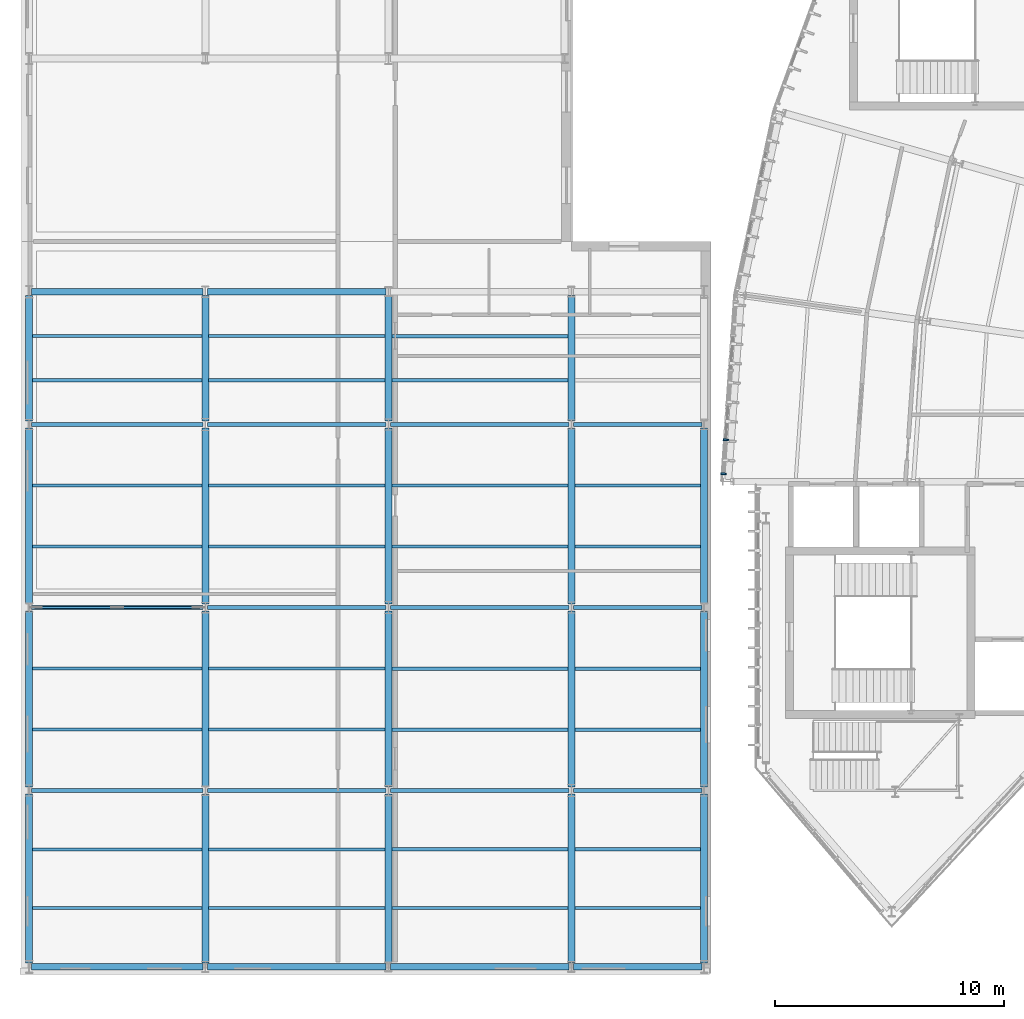
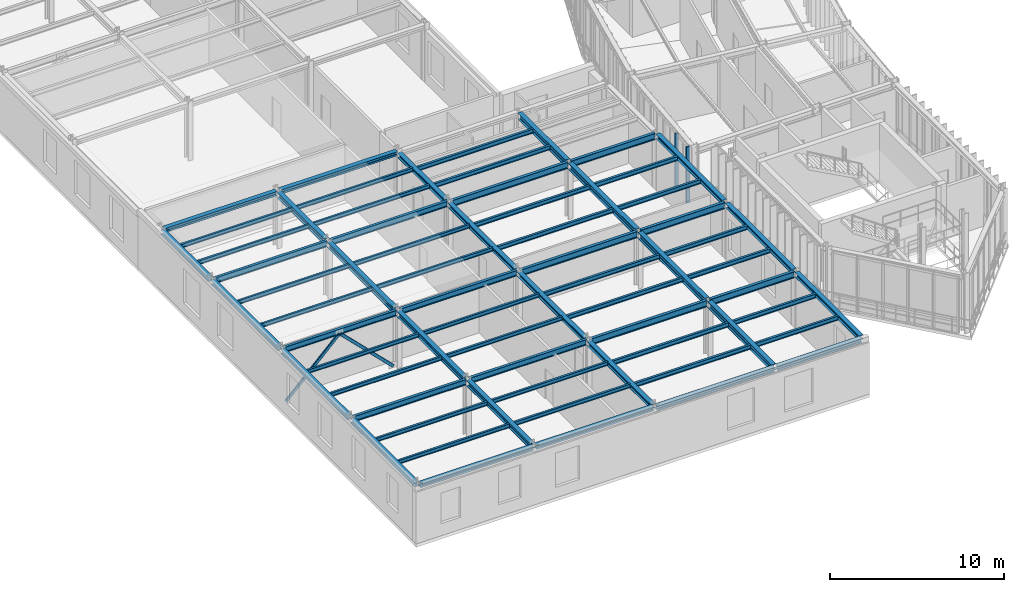
# One storey, part 8 of 57: 67 beams, 4 members, 1 element without a shape of its own.
"""IFC4 building model written with IfcOpenShell, lengths in metres."""

from ifc_helpers import new_model, si_unit, direction, frame, origin, origin_2d, place, context, subcontext, project, spatial, rectangle, hollow_rectangle, i_section, extrude, material, layer, layer_set, material_profile, profile_set, type_object, element, aggregate, save


model = new_model("IFC4")

# Units and contexts
model_context = context("Model", 3, precision=1e-05, world=origin(), true_north=direction((0.0, 1.0)))
body_context = subcontext(model_context, "Body", "Model", "MODEL_VIEW")
ifc_project = project(units=[si_unit("LENGTHUNIT", "METRE"), si_unit("AREAUNIT", "SQUARE_METRE"), si_unit("VOLUMEUNIT", "CUBIC_METRE"), si_unit("PLANEANGLEUNIT", "RADIAN"), si_unit("MASSUNIT", "GRAM", prefix="KILO"), si_unit("THERMODYNAMICTEMPERATUREUNIT", "KELVIN"), si_unit("POWERUNIT", "WATT")], contexts=[model_context])

# Site, building, storey
site_placement = place(None, origin())
site = spatial("IfcSite", under=ifc_project, at=site_placement, CompositionType="ELEMENT")
building_placement = place(site_placement, origin())
building = spatial("IfcBuilding", under=site, at=building_placement, Name="Solvatero Civic Police Headquarters", CompositionType="ELEMENT")
storey_placement = place(building_placement, frame((0.0, 0.0, 9.300048828125)))
storey = spatial("IfcBuildingStorey", under=building, at=storey_placement, Name="L02", CompositionType="ELEMENT", Elevation=9.300048828125)

# Beams
ifc_material_1 = material(Name="Steel S355", Category="steel")
ifc_material_profile_1 = material_profile(ifc_material_1, i_section(OverallWidth=0.300048828125, OverallDepth=0.2900390625, WebThickness=0.008544921875, FlangeThickness=0.013916015625, FilletRadius=0.027099609375, at=origin_2d()), Name="HEA 300")
ifc_profile_set_1 = profile_set([ifc_material_profile_1], Name="Steel S355")
beam_type_1 = type_object("IfcBeamType", Name="BM-ST-HEA300", PredefinedType="SPANDREL", material=ifc_profile_set_1)
beam_1_placement = place(storey_placement, frame((4.89990234375, 4.800048828125, 3.85498046875), z_axis=(1.0, 0.0, 0.0), x_axis=(0.0, 1.0, 0.0)))
element("IfcBeam", 1, at=beam_1_placement, inside=storey, type_object=beam_type_1, Name="Perimeter / radial spandrel beam BM-R2-L02-V4W-GX-1-1", PredefinedType="SPANDREL", context=body_context, shape_type="SweptSolid", body=[
    extrude(i_section(OverallWidth=0.300048828125, OverallDepth=0.2900390625, WebThickness=0.008544921875, FlangeThickness=0.013916015625, FilletRadius=0.027099609375, at=origin_2d()), origin(), (0.0, 0.0, 1.0), 7.5),
])
beam_2_placement = place(storey_placement, frame((12.60009765625, 4.800048828125, 3.85498046875), z_axis=(1.0, 0.0, 0.0), x_axis=(0.0, 1.0, 0.0)))
element("IfcBeam", 2, at=beam_2_placement, inside=storey, type_object=beam_type_1, Name="Perimeter / radial spandrel beam BM-R2-L02-V4W-GX-2-1", PredefinedType="SPANDREL", context=body_context, shape_type="SweptSolid", body=[
    extrude(i_section(OverallWidth=0.300048828125, OverallDepth=0.2900390625, WebThickness=0.008544921875, FlangeThickness=0.013916015625, FilletRadius=0.027099609375, at=origin_2d()), origin(), (0.0, 0.0, 1.0), 7.7998046875),
])
beam_3_placement = place(storey_placement, frame((4.89990234375, 34.300048828125, 3.85498046875), z_axis=(1.0, 0.0, 0.0), x_axis=(0.0, 1.0, 0.0)))
element("IfcBeam", 3, at=beam_3_placement, inside=storey, type_object=beam_type_1, Name="Perimeter / radial spandrel beam BM-R2-L02-V4W-GX-1-5", PredefinedType="SPANDREL", context=body_context, shape_type="SweptSolid", body=[
    extrude(i_section(OverallWidth=0.300048828125, OverallDepth=0.2900390625, WebThickness=0.008544921875, FlangeThickness=0.013916015625, FilletRadius=0.027099609375, at=origin_2d()), origin(), (0.0, 0.0, 1.0), 7.5),
])
beam_4_placement = place(storey_placement, frame((12.60009765625, 34.300048828125, 3.85498046875), z_axis=(1.0, 0.0, 0.0), x_axis=(0.0, 1.0, 0.0)))
element("IfcBeam", 4, at=beam_4_placement, inside=storey, type_object=beam_type_1, Name="Perimeter / radial spandrel beam BM-R2-L02-V4W-GX-2-5", PredefinedType="SPANDREL", context=body_context, shape_type="SweptSolid", body=[
    extrude(i_section(OverallWidth=0.300048828125, OverallDepth=0.2900390625, WebThickness=0.008544921875, FlangeThickness=0.013916015625, FilletRadius=0.027099609375, at=origin_2d()), origin(), (0.0, 0.0, 1.0), 7.7998046875),
])
beam_5_placement = place(storey_placement, frame((4.800048828125, 4.9599609375, 3.85498046875), z_axis=(0.0, 1.0, 0.0), x_axis=(-1.0, 0.0, 0.0)))
element("IfcBeam", 5, at=beam_5_placement, inside=storey, type_object=beam_type_1, Name="Perimeter / radial spandrel beam BM-R2-L02-V4W-GY-1-1", PredefinedType="SPANDREL", context=body_context, shape_type="SweptSolid", body=[
    extrude(i_section(OverallWidth=0.300048828125, OverallDepth=0.2900390625, WebThickness=0.008544921875, FlangeThickness=0.013916015625, FilletRadius=0.027099609375, at=origin_2d()), origin(), (0.0, 0.0, 1.0), 7.380126953125),
])
for number, where, z_axis, x_axis, name in (
    (6, (4.800048828125, 12.659912109375, 3.85498046875), (0.0, 1.0, 0.0), (-1.0, 0.0, 0.0), "Perimeter / radial spandrel beam BM-R2-L02-V4W-GY-1-2"),
    (7, (4.800048828125, 20.659912109375, 3.85498046875), (0.0, 1.0, 0.0), (-1.0, 0.0, 0.0), "Perimeter / radial spandrel beam BM-R2-L02-V4W-GY-1-3"),
):
    element("IfcBeam", number, at=place(storey_placement, frame(where, z_axis=z_axis, x_axis=x_axis)), inside=storey, type_object=beam_type_1, Name=name, PredefinedType="SPANDREL", context=body_context, shape_type="SweptSolid", body=[
        extrude(i_section(OverallWidth=0.300048828125, OverallDepth=0.2900390625, WebThickness=0.008544921875, FlangeThickness=0.013916015625, FilletRadius=0.027099609375, at=origin_2d()), origin(), (0.0, 0.0, 1.0), 7.68017578125),
    ])
beam_6_placement = place(storey_placement, frame((4.800048828125, 28.659912109375, 3.85498046875), z_axis=(0.0, 1.0, 0.0), x_axis=(-1.0, 0.0, 0.0)))
element("IfcBeam", 8, at=beam_6_placement, inside=storey, type_object=beam_type_1, Name="Perimeter / radial spandrel beam BM-R2-L02-V4W-GY-1-4", PredefinedType="SPANDREL", context=body_context, shape_type="SweptSolid", body=[
    extrude(i_section(OverallWidth=0.300048828125, OverallDepth=0.2900390625, WebThickness=0.008544921875, FlangeThickness=0.013916015625, FilletRadius=0.027099609375, at=origin_2d()), origin(), (0.0, 0.0, 1.0), 5.47998046875),
])
ifc_material_profile_2 = material_profile(ifc_material_1, i_section(OverallWidth=0.300048828125, OverallDepth=0.31005859375, WebThickness=0.009033203125, FlangeThickness=0.015380859375, FilletRadius=0.027099609375, at=origin_2d()), Name="HEA 320")
ifc_profile_set_2 = profile_set([ifc_material_profile_2], Name="Steel S355")
beam_type_2 = type_object("IfcBeamType", Name="BM-ST-HEA320", PredefinedType="SPANDREL", material=ifc_profile_set_2)
beam_7_placement = place(storey_placement, frame((20.60009765625, 4.800048828125, 3.784912109375), z_axis=(1.0, 0.0, 0.0), x_axis=(0.0, 1.0, 0.0)))
element("IfcBeam", 9, at=beam_7_placement, inside=storey, type_object=beam_type_2, Name="Perimeter / radial spandrel beam BM-R2-L02-V4E-GX-1-1", PredefinedType="SPANDREL", context=body_context, shape_type="SweptSolid", body=[
    extrude(i_section(OverallWidth=0.300048828125, OverallDepth=0.31005859375, WebThickness=0.009033203125, FlangeThickness=0.015380859375, FilletRadius=0.027099609375, at=origin_2d()), origin(), (0.0, 0.0, 1.0), 7.7998046875),
])
beam_8_placement = place(storey_placement, frame((28.60009765625, 4.800048828125, 3.784912109375), z_axis=(1.0, 0.0, 0.0), x_axis=(0.0, 1.0, 0.0)))
element("IfcBeam", 10, at=beam_8_placement, inside=storey, type_object=beam_type_2, Name="Perimeter / radial spandrel beam BM-R2-L02-V4E-GX-2-1", PredefinedType="SPANDREL", context=body_context, shape_type="SweptSolid", body=[
    extrude(i_section(OverallWidth=0.300048828125, OverallDepth=0.31005859375, WebThickness=0.009033203125, FlangeThickness=0.015380859375, FilletRadius=0.027099609375, at=origin_2d()), origin(), (0.0, 0.0, 1.0), 5.599853515625),
])
beam_9_placement = place(storey_placement, frame((20.5, 4.9599609375, 3.784912109375), z_axis=(0.0, 1.0, 0.0), x_axis=(-1.0, 0.0, 0.0)))
element("IfcBeam", 11, at=beam_9_placement, inside=storey, type_object=beam_type_2, Name="Perimeter / radial spandrel beam BM-R2-L02-V4E-GY-1-1", PredefinedType="SPANDREL", context=body_context, shape_type="SweptSolid", body=[
    extrude(i_section(OverallWidth=0.300048828125, OverallDepth=0.31005859375, WebThickness=0.009033203125, FlangeThickness=0.015380859375, FilletRadius=0.027099609375, at=origin_2d()), origin(), (0.0, 0.0, 1.0), 7.380126953125),
])
for number, where, z_axis, x_axis, name in (
    (12, (20.5, 12.659912109375, 3.784912109375), (0.0, 1.0, 0.0), (-1.0, 0.0, 0.0), "Perimeter / radial spandrel beam BM-R2-L02-V4E-GY-1-2"),
    (13, (20.5, 20.659912109375, 3.784912109375), (0.0, 1.0, 0.0), (-1.0, 0.0, 0.0), "Perimeter / radial spandrel beam BM-R2-L02-V4E-GY-1-3"),
):
    element("IfcBeam", number, at=place(storey_placement, frame(where, z_axis=z_axis, x_axis=x_axis)), inside=storey, type_object=beam_type_2, Name=name, PredefinedType="SPANDREL", context=body_context, shape_type="SweptSolid", body=[
        extrude(i_section(OverallWidth=0.300048828125, OverallDepth=0.31005859375, WebThickness=0.009033203125, FlangeThickness=0.015380859375, FilletRadius=0.027099609375, at=origin_2d()), origin(), (0.0, 0.0, 1.0), 7.68017578125),
    ])
beam_10_placement = place(storey_placement, frame((20.5, 28.659912109375, 3.784912109375), z_axis=(0.0, 1.0, 0.0), x_axis=(-1.0, 0.0, 0.0)))
element("IfcBeam", 14, at=beam_10_placement, inside=storey, type_object=beam_type_2, Name="Perimeter / radial spandrel beam BM-R2-L02-V4E-GY-1-4", PredefinedType="SPANDREL", context=body_context, shape_type="SweptSolid", body=[
    extrude(i_section(OverallWidth=0.300048828125, OverallDepth=0.31005859375, WebThickness=0.009033203125, FlangeThickness=0.015380859375, FilletRadius=0.027099609375, at=origin_2d()), origin(), (0.0, 0.0, 1.0), 5.47998046875),
])
beam_11_placement = place(storey_placement, frame((34.300048828125, 4.9599609375, 3.784912109375), z_axis=(0.0, 1.0, 0.0), x_axis=(-1.0, 0.0, 0.0)))
element("IfcBeam", 15, at=beam_11_placement, inside=storey, type_object=beam_type_2, Name="Perimeter / radial spandrel beam BM-R2-L02-V4E-GY-3-1", PredefinedType="SPANDREL", context=body_context, shape_type="SweptSolid", body=[
    extrude(i_section(OverallWidth=0.300048828125, OverallDepth=0.31005859375, WebThickness=0.009033203125, FlangeThickness=0.015380859375, FilletRadius=0.027099609375, at=origin_2d()), origin(), (0.0, 0.0, 1.0), 7.380126953125),
])
for number, where, z_axis, x_axis, name in (
    (16, (34.300048828125, 12.659912109375, 3.784912109375), (0.0, 1.0, 0.0), (-1.0, 0.0, 0.0), "Perimeter / radial spandrel beam BM-R2-L02-V4E-GY-3-2"),
    (17, (34.300048828125, 20.659912109375, 3.784912109375), (0.0, 1.0, 0.0), (-1.0, 0.0, 0.0), "Perimeter / radial spandrel beam BM-R2-L02-V4E-GY-3-3"),
):
    element("IfcBeam", number, at=place(storey_placement, frame(where, z_axis=z_axis, x_axis=x_axis)), inside=storey, type_object=beam_type_2, Name=name, PredefinedType="SPANDREL", context=body_context, shape_type="SweptSolid", body=[
        extrude(i_section(OverallWidth=0.300048828125, OverallDepth=0.31005859375, WebThickness=0.009033203125, FlangeThickness=0.015380859375, FilletRadius=0.027099609375, at=origin_2d()), origin(), (0.0, 0.0, 1.0), 7.68017578125),
    ])
ifc_material_profile_3 = material_profile(ifc_material_1, i_section(OverallWidth=0.300048828125, OverallDepth=0.389892578125, WebThickness=0.010986328125, FlangeThickness=0.01904296875, FilletRadius=0.027099609375, at=origin_2d()), Name="HEA 400")
ifc_profile_set_3 = profile_set([ifc_material_profile_3], Name="Steel S355")
beam_type_3 = type_object("IfcBeamType", Name="BM-ST-HEA400", PredefinedType="BEAM", material=ifc_profile_set_3)
beam_12_placement = place(storey_placement, frame((12.5, 4.9599609375, 3.804931640625), z_axis=(0.0, 1.0, 0.0), x_axis=(-1.0, 0.0, 0.0)))
element("IfcBeam", 18, at=beam_12_placement, inside=storey, type_object=beam_type_3, Name="Primary girder BM-R2-L02-V4W-GY-2-1", PredefinedType="BEAM", context=body_context, shape_type="SweptSolid", body=[
    extrude(i_section(OverallWidth=0.300048828125, OverallDepth=0.389892578125, WebThickness=0.010986328125, FlangeThickness=0.01904296875, FilletRadius=0.027099609375, at=origin_2d()), origin(), (0.0, 0.0, 1.0), 7.380126953125),
])
for number, where, z_axis, x_axis, name in (
    (19, (12.5, 12.659912109375, 3.804931640625), (0.0, 1.0, 0.0), (-1.0, 0.0, 0.0), "Primary girder BM-R2-L02-V4W-GY-2-2"),
    (20, (12.5, 20.659912109375, 3.804931640625), (0.0, 1.0, 0.0), (-1.0, 0.0, 0.0), "Primary girder BM-R2-L02-V4W-GY-2-3"),
):
    element("IfcBeam", number, at=place(storey_placement, frame(where, z_axis=z_axis, x_axis=x_axis)), inside=storey, type_object=beam_type_3, Name=name, PredefinedType="BEAM", context=body_context, shape_type="SweptSolid", body=[
        extrude(i_section(OverallWidth=0.300048828125, OverallDepth=0.389892578125, WebThickness=0.010986328125, FlangeThickness=0.01904296875, FilletRadius=0.027099609375, at=origin_2d()), origin(), (0.0, 0.0, 1.0), 7.68017578125),
    ])
beam_13_placement = place(storey_placement, frame((12.5, 28.659912109375, 3.804931640625), z_axis=(0.0, 1.0, 0.0), x_axis=(-1.0, 0.0, 0.0)))
element("IfcBeam", 21, at=beam_13_placement, inside=storey, type_object=beam_type_3, Name="Primary girder BM-R2-L02-V4W-GY-2-4", PredefinedType="BEAM", context=body_context, shape_type="SweptSolid", body=[
    extrude(i_section(OverallWidth=0.300048828125, OverallDepth=0.389892578125, WebThickness=0.010986328125, FlangeThickness=0.01904296875, FilletRadius=0.027099609375, at=origin_2d()), origin(), (0.0, 0.0, 1.0), 5.47998046875),
])
ifc_material_profile_4 = material_profile(ifc_material_1, i_section(OverallWidth=0.300048828125, OverallDepth=0.43994140625, WebThickness=0.011474609375, FlangeThickness=0.02099609375, FilletRadius=0.027099609375, at=origin_2d()), Name="HEA 450")
ifc_profile_set_4 = profile_set([ifc_material_profile_4], Name="Steel S355")
beam_type_4 = type_object("IfcBeamType", Name="BM-ST-HEA450", PredefinedType="BEAM", material=ifc_profile_set_4)
beam_14_placement = place(storey_placement, frame((28.5, 4.9599609375, 3.719970703125), z_axis=(0.0, 1.0, 0.0), x_axis=(-1.0, 0.0, 0.0)))
element("IfcBeam", 22, at=beam_14_placement, inside=storey, type_object=beam_type_4, Name="Primary girder BM-R2-L02-V4E-GY-2-1", PredefinedType="BEAM", context=body_context, shape_type="SweptSolid", body=[
    extrude(i_section(OverallWidth=0.300048828125, OverallDepth=0.43994140625, WebThickness=0.011474609375, FlangeThickness=0.02099609375, FilletRadius=0.027099609375, at=origin_2d()), origin(), (0.0, 0.0, 1.0), 7.380126953125),
])
for number, where, z_axis, x_axis, name in (
    (23, (28.5, 12.659912109375, 3.719970703125), (0.0, 1.0, 0.0), (-1.0, 0.0, 0.0), "Primary girder BM-R2-L02-V4E-GY-2-2"),
    (24, (28.5, 20.659912109375, 3.719970703125), (0.0, 1.0, 0.0), (-1.0, 0.0, 0.0), "Primary girder BM-R2-L02-V4E-GY-2-3"),
):
    element("IfcBeam", number, at=place(storey_placement, frame(where, z_axis=z_axis, x_axis=x_axis)), inside=storey, type_object=beam_type_4, Name=name, PredefinedType="BEAM", context=body_context, shape_type="SweptSolid", body=[
        extrude(i_section(OverallWidth=0.300048828125, OverallDepth=0.43994140625, WebThickness=0.011474609375, FlangeThickness=0.02099609375, FilletRadius=0.027099609375, at=origin_2d()), origin(), (0.0, 0.0, 1.0), 7.68017578125),
    ])
beam_15_placement = place(storey_placement, frame((28.5, 28.659912109375, 3.719970703125), z_axis=(0.0, 1.0, 0.0), x_axis=(-1.0, 0.0, 0.0)))
element("IfcBeam", 25, at=beam_15_placement, inside=storey, type_object=beam_type_4, Name="Primary girder BM-R2-L02-V4E-GY-2-4", PredefinedType="BEAM", context=body_context, shape_type="SweptSolid", body=[
    extrude(i_section(OverallWidth=0.300048828125, OverallDepth=0.43994140625, WebThickness=0.011474609375, FlangeThickness=0.02099609375, FilletRadius=0.027099609375, at=origin_2d()), origin(), (0.0, 0.0, 1.0), 5.47998046875),
])
ifc_material_profile_5 = material_profile(ifc_material_1, i_section(OverallWidth=0.135009765625, OverallDepth=0.27001953125, WebThickness=0.006591796875, FlangeThickness=0.01025390625, FilletRadius=0.014892578125, at=origin_2d()), Name="IPE 270")
ifc_profile_set_5 = profile_set([ifc_material_profile_5], Name="Steel S355")
beam_type_5 = type_object("IfcBeamType", Name="BM-ST-IPE270", PredefinedType="BEAM", material=ifc_profile_set_5)
for number, where, z_axis, x_axis, name in (
    (26, (4.949951171875, 7.36669921875, 3.864990234375), (1.0, 0.0, 0.0), (0.0, 1.0, 0.0), "Composite floor beam BM-R2-L02-V4W-SEC-1-1-S1"),
    (27, (4.949951171875, 9.933349609375, 3.864990234375), (1.0, 0.0, 0.0), (0.0, 1.0, 0.0), "Composite floor beam BM-R2-L02-V4W-SEC-1-1-S2"),
    (28, (4.949951171875, 15.166748046875, 3.864990234375), (1.0, 0.0, 0.0), (0.0, 1.0, 0.0), "Composite floor beam BM-R2-L02-V4W-SEC-1-2-S1"),
    (29, (4.949951171875, 17.833251953125, 3.864990234375), (1.0, 0.0, 0.0), (0.0, 1.0, 0.0), "Composite floor beam BM-R2-L02-V4W-SEC-1-2-S2"),
    (30, (4.949951171875, 23.166748046875, 3.864990234375), (1.0, 0.0, 0.0), (0.0, 1.0, 0.0), "Composite floor beam BM-R2-L02-V4W-SEC-1-3-S1"),
    (31, (4.949951171875, 25.833251953125, 3.864990234375), (1.0, 0.0, 0.0), (0.0, 1.0, 0.0), "Composite floor beam BM-R2-L02-V4W-SEC-1-3-S2"),
    (32, (4.949951171875, 30.433349609375, 3.864990234375), (1.0, 0.0, 0.0), (0.0, 1.0, 0.0), "Composite floor beam BM-R2-L02-V4W-SEC-1-4-S1"),
    (33, (4.949951171875, 32.36669921875, 3.864990234375), (1.0, 0.0, 0.0), (0.0, 1.0, 0.0), "Composite floor beam BM-R2-L02-V4W-SEC-1-4-S2"),
):
    element("IfcBeam", number, at=place(storey_placement, frame(where, z_axis=z_axis, x_axis=x_axis)), inside=storey, type_object=beam_type_5, Name=name, PredefinedType="BEAM", context=body_context, shape_type="SweptSolid", body=[
        extrude(i_section(OverallWidth=0.135009765625, OverallDepth=0.27001953125, WebThickness=0.006591796875, FlangeThickness=0.01025390625, FilletRadius=0.014892578125, at=origin_2d()), origin(), (0.0, 0.0, 1.0), 7.400146484375),
    ])
for number, where, z_axis, x_axis, name in (
    (34, (12.64990234375, 7.36669921875, 3.864990234375), (1.0, 0.0, 0.0), (0.0, 1.0, 0.0), "Composite floor beam BM-R2-L02-V4W-SEC-2-1-S1"),
    (35, (12.64990234375, 9.933349609375, 3.864990234375), (1.0, 0.0, 0.0), (0.0, 1.0, 0.0), "Composite floor beam BM-R2-L02-V4W-SEC-2-1-S2"),
    (36, (12.64990234375, 15.166748046875, 3.864990234375), (1.0, 0.0, 0.0), (0.0, 1.0, 0.0), "Composite floor beam BM-R2-L02-V4W-SEC-2-2-S1"),
    (37, (12.64990234375, 17.833251953125, 3.864990234375), (1.0, 0.0, 0.0), (0.0, 1.0, 0.0), "Composite floor beam BM-R2-L02-V4W-SEC-2-2-S2"),
    (38, (12.64990234375, 23.166748046875, 3.864990234375), (1.0, 0.0, 0.0), (0.0, 1.0, 0.0), "Composite floor beam BM-R2-L02-V4W-SEC-2-3-S1"),
    (39, (12.64990234375, 25.833251953125, 3.864990234375), (1.0, 0.0, 0.0), (0.0, 1.0, 0.0), "Composite floor beam BM-R2-L02-V4W-SEC-2-3-S2"),
    (40, (12.64990234375, 30.433349609375, 3.864990234375), (1.0, 0.0, 0.0), (0.0, 1.0, 0.0), "Composite floor beam BM-R2-L02-V4W-SEC-2-4-S1"),
    (41, (12.64990234375, 32.36669921875, 3.864990234375), (1.0, 0.0, 0.0), (0.0, 1.0, 0.0), "Composite floor beam BM-R2-L02-V4W-SEC-2-4-S2"),
):
    element("IfcBeam", number, at=place(storey_placement, frame(where, z_axis=z_axis, x_axis=x_axis)), inside=storey, type_object=beam_type_5, Name=name, PredefinedType="BEAM", context=body_context, shape_type="SweptSolid", body=[
        extrude(i_section(OverallWidth=0.135009765625, OverallDepth=0.27001953125, WebThickness=0.006591796875, FlangeThickness=0.01025390625, FilletRadius=0.014892578125, at=origin_2d()), origin(), (0.0, 0.0, 1.0), 7.7001953125),
    ])
ifc_material_profile_6 = material_profile(ifc_material_1, i_section(OverallWidth=0.14990234375, OverallDepth=0.300048828125, WebThickness=0.007080078125, FlangeThickness=0.0107421875, FilletRadius=0.014892578125, at=origin_2d()), Name="IPE 300")
ifc_profile_set_6 = profile_set([ifc_material_profile_6], Name="Steel S355")
beam_type_6 = type_object("IfcBeamType", Name="BM-ST-IPE300", PredefinedType="BEAM", material=ifc_profile_set_6)
for number, where, z_axis, x_axis, name in (
    (42, (20.64990234375, 7.36669921875, 3.7900390625), (1.0, 0.0, 0.0), (0.0, 1.0, 0.0), "Composite floor beam BM-R2-L02-V4E-SEC-1-1-S1"),
    (43, (20.64990234375, 9.933349609375, 3.7900390625), (1.0, 0.0, 0.0), (0.0, 1.0, 0.0), "Composite floor beam BM-R2-L02-V4E-SEC-1-1-S2"),
    (44, (20.64990234375, 15.166748046875, 3.7900390625), (1.0, 0.0, 0.0), (0.0, 1.0, 0.0), "Composite floor beam BM-R2-L02-V4E-SEC-1-2-S1"),
    (45, (20.64990234375, 17.833251953125, 3.7900390625), (1.0, 0.0, 0.0), (0.0, 1.0, 0.0), "Composite floor beam BM-R2-L02-V4E-SEC-1-2-S2"),
    (46, (20.64990234375, 23.166748046875, 3.7900390625), (1.0, 0.0, 0.0), (0.0, 1.0, 0.0), "Composite floor beam BM-R2-L02-V4E-SEC-1-3-S1"),
    (47, (20.64990234375, 25.833251953125, 3.7900390625), (1.0, 0.0, 0.0), (0.0, 1.0, 0.0), "Composite floor beam BM-R2-L02-V4E-SEC-1-3-S2"),
    (48, (20.64990234375, 30.433349609375, 3.7900390625), (1.0, 0.0, 0.0), (0.0, 1.0, 0.0), "Composite floor beam BM-R2-L02-V4E-SEC-1-4-S1"),
    (49, (20.64990234375, 32.36669921875, 3.7900390625), (1.0, 0.0, 0.0), (0.0, 1.0, 0.0), "Composite floor beam BM-R2-L02-V4E-SEC-1-4-S2"),
):
    element("IfcBeam", number, at=place(storey_placement, frame(where, z_axis=z_axis, x_axis=x_axis)), inside=storey, type_object=beam_type_6, Name=name, PredefinedType="BEAM", context=body_context, shape_type="SweptSolid", body=[
        extrude(i_section(OverallWidth=0.14990234375, OverallDepth=0.300048828125, WebThickness=0.007080078125, FlangeThickness=0.0107421875, FilletRadius=0.014892578125, at=origin_2d()), origin(), (0.0, 0.0, 1.0), 7.7001953125),
    ])
for number, where, z_axis, x_axis, name in (
    (50, (28.64990234375, 7.36669921875, 3.7900390625), (1.0, 0.0, 0.0), (0.0, 1.0, 0.0), "Composite floor beam BM-R2-L02-V4E-SEC-2-1-S1"),
    (51, (28.64990234375, 9.933349609375, 3.7900390625), (1.0, 0.0, 0.0), (0.0, 1.0, 0.0), "Composite floor beam BM-R2-L02-V4E-SEC-2-1-S2"),
    (52, (28.64990234375, 15.166748046875, 3.7900390625), (1.0, 0.0, 0.0), (0.0, 1.0, 0.0), "Composite floor beam BM-R2-L02-V4E-SEC-2-2-S1"),
    (53, (28.64990234375, 17.833251953125, 3.7900390625), (1.0, 0.0, 0.0), (0.0, 1.0, 0.0), "Composite floor beam BM-R2-L02-V4E-SEC-2-2-S2"),
    (54, (28.64990234375, 23.166748046875, 3.7900390625), (1.0, 0.0, 0.0), (0.0, 1.0, 0.0), "Composite floor beam BM-R2-L02-V4E-SEC-2-3-S1"),
    (55, (28.64990234375, 25.833251953125, 3.7900390625), (1.0, 0.0, 0.0), (0.0, 1.0, 0.0), "Composite floor beam BM-R2-L02-V4E-SEC-2-3-S2"),
):
    element("IfcBeam", number, at=place(storey_placement, frame(where, z_axis=z_axis, x_axis=x_axis)), inside=storey, type_object=beam_type_6, Name=name, PredefinedType="BEAM", context=body_context, shape_type="SweptSolid", body=[
        extrude(i_section(OverallWidth=0.14990234375, OverallDepth=0.300048828125, WebThickness=0.007080078125, FlangeThickness=0.0107421875, FilletRadius=0.014892578125, at=origin_2d()), origin(), (0.0, 0.0, 1.0), 5.5),
    ])
ifc_material_profile_7 = material_profile(ifc_material_1, i_section(OverallWidth=0.179931640625, OverallDepth=0.39990234375, WebThickness=0.008544921875, FlangeThickness=0.013427734375, FilletRadius=0.02099609375, at=origin_2d()), Name="IPE 400")
ifc_profile_set_7 = profile_set([ifc_material_profile_7], Name="Steel S355")
beam_type_7 = type_object("IfcBeamType", Name="BM-ST-IPE400", PredefinedType="BEAM", material=ifc_profile_set_7)
beam_16_placement = place(storey_placement, frame((4.89990234375, 12.5, 3.800048828125), z_axis=(1.0, 0.0, 0.0), x_axis=(0.0, 1.0, 0.0)))
element("IfcBeam", 56, at=beam_16_placement, inside=storey, type_object=beam_type_7, Name="Primary girder BM-R2-L02-V4W-GX-1-2", PredefinedType="BEAM", context=body_context, shape_type="SweptSolid", body=[
    extrude(i_section(OverallWidth=0.179931640625, OverallDepth=0.39990234375, WebThickness=0.008544921875, FlangeThickness=0.013427734375, FilletRadius=0.02099609375, at=origin_2d()), origin(), (0.0, 0.0, 1.0), 7.5),
])
beam_17_placement = place(storey_placement, frame((12.60009765625, 12.5, 3.800048828125), z_axis=(1.0, 0.0, 0.0), x_axis=(0.0, 1.0, 0.0)))
element("IfcBeam", 57, at=beam_17_placement, inside=storey, type_object=beam_type_7, Name="Primary girder BM-R2-L02-V4W-GX-2-2", PredefinedType="BEAM", context=body_context, shape_type="SweptSolid", body=[
    extrude(i_section(OverallWidth=0.179931640625, OverallDepth=0.39990234375, WebThickness=0.008544921875, FlangeThickness=0.013427734375, FilletRadius=0.02099609375, at=origin_2d()), origin(), (0.0, 0.0, 1.0), 7.7998046875),
])
beam_18_placement = place(storey_placement, frame((4.89990234375, 20.5, 3.800048828125), z_axis=(1.0, 0.0, 0.0), x_axis=(0.0, 1.0, 0.0)))
element("IfcBeam", 58, at=beam_18_placement, inside=storey, type_object=beam_type_7, Name="Primary girder BM-R2-L02-V4W-GX-1-3", PredefinedType="BEAM", context=body_context, shape_type="SweptSolid", body=[
    extrude(i_section(OverallWidth=0.179931640625, OverallDepth=0.39990234375, WebThickness=0.008544921875, FlangeThickness=0.013427734375, FilletRadius=0.02099609375, at=origin_2d()), origin(), (0.0, 0.0, 1.0), 7.5),
])
beam_19_placement = place(storey_placement, frame((12.60009765625, 20.5, 3.800048828125), z_axis=(1.0, 0.0, 0.0), x_axis=(0.0, 1.0, 0.0)))
element("IfcBeam", 59, at=beam_19_placement, inside=storey, type_object=beam_type_7, Name="Primary girder BM-R2-L02-V4W-GX-2-3", PredefinedType="BEAM", context=body_context, shape_type="SweptSolid", body=[
    extrude(i_section(OverallWidth=0.179931640625, OverallDepth=0.39990234375, WebThickness=0.008544921875, FlangeThickness=0.013427734375, FilletRadius=0.02099609375, at=origin_2d()), origin(), (0.0, 0.0, 1.0), 7.7998046875),
])
beam_20_placement = place(storey_placement, frame((4.89990234375, 28.5, 3.800048828125), z_axis=(1.0, 0.0, 0.0), x_axis=(0.0, 1.0, 0.0)))
element("IfcBeam", 60, at=beam_20_placement, inside=storey, type_object=beam_type_7, Name="Primary girder BM-R2-L02-V4W-GX-1-4", PredefinedType="BEAM", context=body_context, shape_type="SweptSolid", body=[
    extrude(i_section(OverallWidth=0.179931640625, OverallDepth=0.39990234375, WebThickness=0.008544921875, FlangeThickness=0.013427734375, FilletRadius=0.02099609375, at=origin_2d()), origin(), (0.0, 0.0, 1.0), 7.5),
])
beam_21_placement = place(storey_placement, frame((12.60009765625, 28.5, 3.800048828125), z_axis=(1.0, 0.0, 0.0), x_axis=(0.0, 1.0, 0.0)))
element("IfcBeam", 61, at=beam_21_placement, inside=storey, type_object=beam_type_7, Name="Primary girder BM-R2-L02-V4W-GX-2-4", PredefinedType="BEAM", context=body_context, shape_type="SweptSolid", body=[
    extrude(i_section(OverallWidth=0.179931640625, OverallDepth=0.39990234375, WebThickness=0.008544921875, FlangeThickness=0.013427734375, FilletRadius=0.02099609375, at=origin_2d()), origin(), (0.0, 0.0, 1.0), 7.7998046875),
])
ifc_material_profile_8 = material_profile(ifc_material_1, i_section(OverallWidth=0.18994140625, OverallDepth=0.449951171875, WebThickness=0.009521484375, FlangeThickness=0.0146484375, FilletRadius=0.02099609375, at=origin_2d()), Name="IPE 450")
ifc_profile_set_8 = profile_set([ifc_material_profile_8], Name="Steel S355")
beam_type_8 = type_object("IfcBeamType", Name="BM-ST-IPE450", PredefinedType="BEAM", material=ifc_profile_set_8)
beam_22_placement = place(storey_placement, frame((20.60009765625, 12.5, 3.71484375), z_axis=(1.0, 0.0, 0.0), x_axis=(0.0, 1.0, 0.0)))
element("IfcBeam", 62, at=beam_22_placement, inside=storey, type_object=beam_type_8, Name="Primary girder BM-R2-L02-V4E-GX-1-2", PredefinedType="BEAM", context=body_context, shape_type="SweptSolid", body=[
    extrude(i_section(OverallWidth=0.18994140625, OverallDepth=0.449951171875, WebThickness=0.009521484375, FlangeThickness=0.0146484375, FilletRadius=0.02099609375, at=origin_2d()), origin(), (0.0, 0.0, 1.0), 7.7998046875),
])
beam_23_placement = place(storey_placement, frame((28.60009765625, 12.5, 3.71484375), z_axis=(1.0, 0.0, 0.0), x_axis=(0.0, 1.0, 0.0)))
element("IfcBeam", 63, at=beam_23_placement, inside=storey, type_object=beam_type_8, Name="Primary girder BM-R2-L02-V4E-GX-2-2", PredefinedType="BEAM", context=body_context, shape_type="SweptSolid", body=[
    extrude(i_section(OverallWidth=0.18994140625, OverallDepth=0.449951171875, WebThickness=0.009521484375, FlangeThickness=0.0146484375, FilletRadius=0.02099609375, at=origin_2d()), origin(), (0.0, 0.0, 1.0), 5.599853515625),
])
beam_24_placement = place(storey_placement, frame((20.60009765625, 20.5, 3.71484375), z_axis=(1.0, 0.0, 0.0), x_axis=(0.0, 1.0, 0.0)))
element("IfcBeam", 64, at=beam_24_placement, inside=storey, type_object=beam_type_8, Name="Primary girder BM-R2-L02-V4E-GX-1-3", PredefinedType="BEAM", context=body_context, shape_type="SweptSolid", body=[
    extrude(i_section(OverallWidth=0.18994140625, OverallDepth=0.449951171875, WebThickness=0.009521484375, FlangeThickness=0.0146484375, FilletRadius=0.02099609375, at=origin_2d()), origin(), (0.0, 0.0, 1.0), 7.7998046875),
])
beam_25_placement = place(storey_placement, frame((28.60009765625, 20.5, 3.71484375), z_axis=(1.0, 0.0, 0.0), x_axis=(0.0, 1.0, 0.0)))
element("IfcBeam", 65, at=beam_25_placement, inside=storey, type_object=beam_type_8, Name="Primary girder BM-R2-L02-V4E-GX-2-3", PredefinedType="BEAM", context=body_context, shape_type="SweptSolid", body=[
    extrude(i_section(OverallWidth=0.18994140625, OverallDepth=0.449951171875, WebThickness=0.009521484375, FlangeThickness=0.0146484375, FilletRadius=0.02099609375, at=origin_2d()), origin(), (0.0, 0.0, 1.0), 5.599853515625),
])
beam_26_placement = place(storey_placement, frame((20.60009765625, 28.5, 3.71484375), z_axis=(1.0, 0.0, 0.0), x_axis=(0.0, 1.0, 0.0)))
element("IfcBeam", 66, at=beam_26_placement, inside=storey, type_object=beam_type_8, Name="Primary girder BM-R2-L02-V4E-GX-1-4", PredefinedType="BEAM", context=body_context, shape_type="SweptSolid", body=[
    extrude(i_section(OverallWidth=0.18994140625, OverallDepth=0.449951171875, WebThickness=0.009521484375, FlangeThickness=0.0146484375, FilletRadius=0.02099609375, at=origin_2d()), origin(), (0.0, 0.0, 1.0), 7.7998046875),
])
beam_27_placement = place(storey_placement, frame((28.60009765625, 28.5, 3.71484375), z_axis=(1.0, 0.0, 0.0), x_axis=(0.0, 1.0, 0.0)))
element("IfcBeam", 67, at=beam_27_placement, inside=storey, type_object=beam_type_8, Name="Primary girder BM-R2-L02-V4E-GX-2-4", PredefinedType="BEAM", context=body_context, shape_type="SweptSolid", body=[
    extrude(i_section(OverallWidth=0.18994140625, OverallDepth=0.449951171875, WebThickness=0.009521484375, FlangeThickness=0.0146484375, FilletRadius=0.02099609375, at=origin_2d()), origin(), (0.0, 0.0, 1.0), 5.599853515625),
])

# Curtain wall, members
ifc_material_2 = material(Name="Anodized Bronze Aluminium", Category="aluminium")
ifc_layer = layer(ifc_material_2, 0.179931640625)
ifc_layer_set = layer_set([ifc_layer], Name="Anodized Bronze Aluminium")
curtain_wall_type = type_object("IfcCurtainWallType", Name="CW-ARC-OUT", PredefinedType="USERDEFINED", material=ifc_layer_set)
curtain_wall_placement = place(storey_placement, origin())
curtain_wall = element("IfcCurtainWall", 68, at=curtain_wall_placement, inside=storey, type_object=curtain_wall_type, Name="Curtain Wall CW-R2-L02-ARC-OUT-B12", ObjectType="UNITISED", PredefinedType="USERDEFINED")
ifc_material_profile_9 = material_profile(ifc_material_2, rectangle(XDim=0.080078125, YDim=0.239990234375, at=origin_2d()), Name="ALU MULLION 80x240")
ifc_profile_set_9 = profile_set([ifc_material_profile_9], Name="Anodized Bronze Aluminium")
member_type_1 = type_object("IfcMemberType", Name="CWM-140x60", PredefinedType="MULLION", material=ifc_profile_set_9)
member_1_placement = place(storey_placement, frame((35.247802734375, 27.828857421875, 0.0), z_axis=(0.0, 0.0, 1.0), x_axis=(-0.069756473744, -0.99756405026, 0.0)))
member_1 = element("IfcMember", 69, at=member_1_placement, type_object=member_type_1, Name="CW-R2-L02-ARC-OUT-B12 Mullion 5", PredefinedType="MULLION", context=body_context, shape_type="SweptSolid", body=[
    extrude(rectangle(XDim=0.080078125, YDim=0.239990234375, at=origin_2d()), origin(), (0.0, 0.0, 1.0), 3.93994140625),
])
member_2_placement = place(storey_placement, frame((35.14404296875, 26.34521484375, 0.0), z_axis=(0.0, 0.0, 1.0), x_axis=(-0.069756473744, -0.99756405026, 0.0)))
member_2 = element("IfcMember", 70, at=member_2_placement, type_object=member_type_1, Name="CW-R2-L02-ARC-OUT-B12 Mullion 6", PredefinedType="MULLION", context=body_context, shape_type="SweptSolid", body=[
    extrude(rectangle(XDim=0.080078125, YDim=0.239990234375, at=origin_2d()), origin(), (0.0, 0.0, 1.0), 3.93994140625),
])
aggregate(curtain_wall, [member_1, member_2])

# Members
ifc_material_profile_10 = material_profile(ifc_material_1, hollow_rectangle(XDim=0.10009765625, YDim=0.199951171875, WallThickness=0.008056640625, InnerFilletRadius=0.008056640625, OuterFilletRadius=0.01611328125, at=origin_2d()), Name="RHS 200x100x8.0")
ifc_profile_set_10 = profile_set([ifc_material_profile_10], Name="Steel S355")
member_type_2 = type_object("IfcMemberType", Name="MB-BR-RHS200", PredefinedType="BRACE", material=ifc_profile_set_10)
member_3_placement = place(storey_placement, frame((5.10009765625, 20.5, 0.119873046875), z_axis=(0.709079105582, 0.0, 0.705128940001), x_axis=(0.0, 1.0, 0.0)))
element("IfcMember", 71, at=member_3_placement, inside=storey, type_object=member_type_2, Name="Chevron Brace BR-V4-INT Left L02", PredefinedType="BRACE", context=body_context, shape_type="SweptSolid", body=[
    extrude(hollow_rectangle(XDim=0.10009765625, YDim=0.199951171875, WallThickness=0.008056640625, InnerFilletRadius=0.008056640625, OuterFilletRadius=0.01611328125, at=origin_2d()), origin(), (0.0, 0.0, 1.0), 5.006103515625),
])
member_4_placement = place(storey_placement, frame((12.199951171875, 20.5, 0.119873046875), z_axis=(-0.709103351846, 0.0, 0.705104557069), x_axis=(0.0, -1.0, 0.0)))
element("IfcMember", 72, at=member_4_placement, inside=storey, type_object=member_type_2, Name="Chevron Brace BR-V4-INT Right L02", PredefinedType="BRACE", context=body_context, shape_type="SweptSolid", body=[
    extrude(hollow_rectangle(XDim=0.10009765625, YDim=0.199951171875, WallThickness=0.008056640625, InnerFilletRadius=0.008056640625, OuterFilletRadius=0.01611328125, at=origin_2d()), origin(), (0.0, 0.0, 1.0), 5.00634765625),
])

save(model, "model.ifc")
